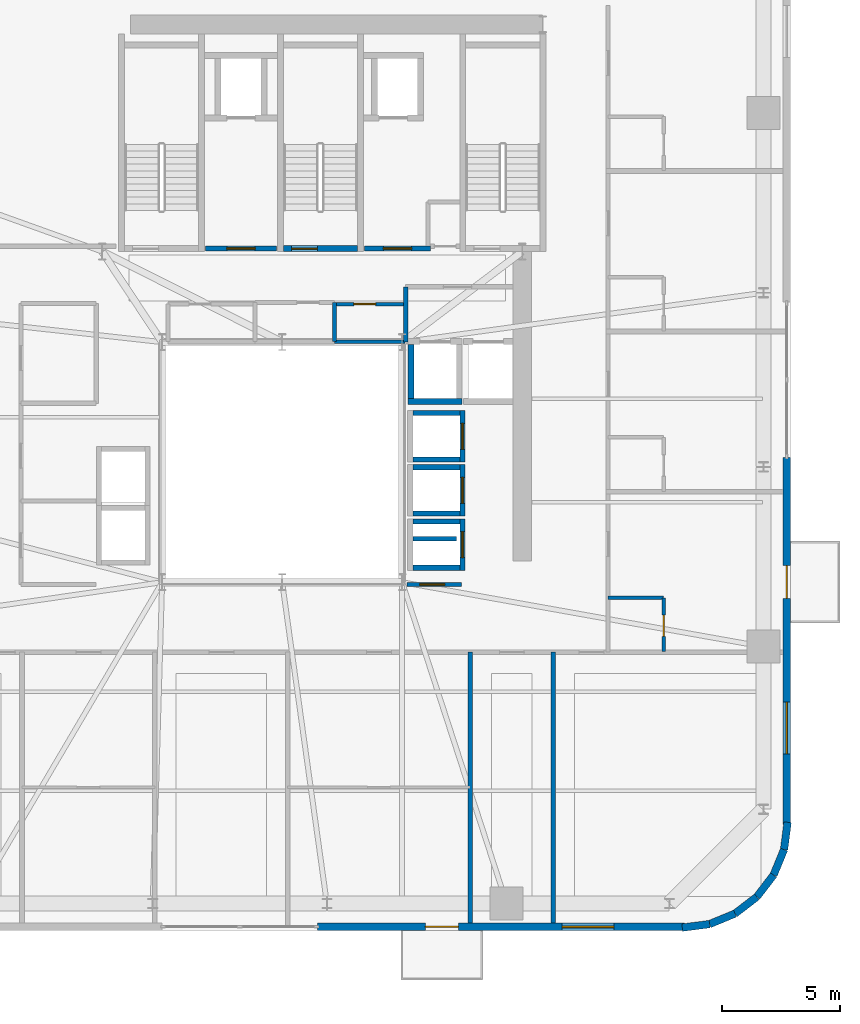
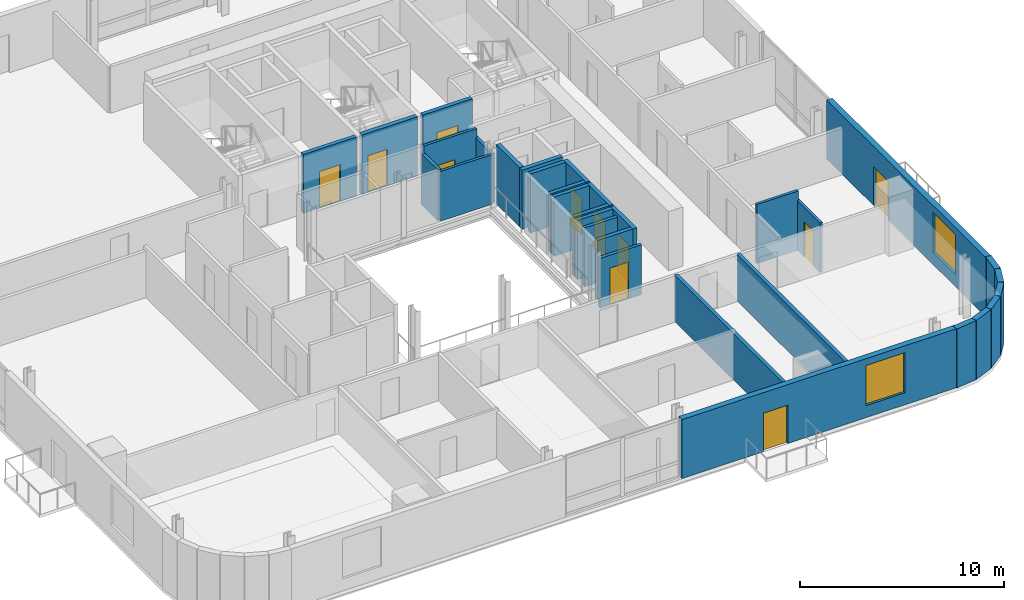
# One storey, part 9 of 15: 32 walls, 11 doors, 2 windows, 13 openings.
"""IFC4 building model written with IfcOpenShell, lengths in metres."""

from ifc_helpers import new_model, si_unit, direction, frame, frame_2d, origin, place, context, subcontext, project, spatial, rectangle, extrude, source, transform, mapped, material, layer, layer_set, type_object, element, fill, save


model = new_model("IFC4")

# Units and contexts
model_context = context("Model", 3, precision=1e-05, world=origin(), true_north=direction((0.0, 1.0)))
body_context = subcontext(model_context, "Body", "Model", "MODEL_VIEW")
ifc_project = project(units=[si_unit("LENGTHUNIT", "METRE"), si_unit("AREAUNIT", "SQUARE_METRE"), si_unit("VOLUMEUNIT", "CUBIC_METRE"), si_unit("PLANEANGLEUNIT", "RADIAN"), si_unit("MASSUNIT", "GRAM", prefix="KILO")], contexts=[model_context])

# Site, building, storey
site_placement = place(None, origin())
site = spatial("IfcSite", under=ifc_project, at=site_placement, CompositionType="ELEMENT")
building_placement = place(site_placement, origin())
building = spatial("IfcBuilding", under=site, at=building_placement, Name="Vardaveli Station Tower", CompositionType="ELEMENT")
storey_placement = place(building_placement, frame((0.0, 0.0, 229.800048828125)))
storey = spatial("IfcBuildingStorey", under=building, at=storey_placement, Name="L59", CompositionType="ELEMENT", Elevation=229.800048828125)

# Wall, openings, door, window
ifc_material_1 = material(Name="Precast concrete C45/55", Category="concrete")
ifc_layer_1 = layer(ifc_material_1, 0.320068359375, Name="Precast concrete C45/55")
ifc_layer_set_1 = layer_set([ifc_layer_1], Name="Precast concrete C45/55")
wall_type_1 = type_object("IfcWallType", Name="WAL-EXT-STONE-320", PredefinedType="SOLIDWALL", material=ifc_layer_set_1)
shared_shape_1 = source(origin(), body_context, "Body", "SweptSolid", [
    extrude(rectangle(XDim=15.599853515625, YDim=0.320068359375, at=frame_2d((7.7998046875, 0.0))), origin(), (0.0, 0.0, 1.0), 3.530029296875),
])
wall_1_placement = place(storey_placement, frame((37.800048828125, 1.9599609375, 0.0), z_axis=(0.0, 0.0, 1.0), x_axis=(1.0, 0.0, 0.0)))
wall_1 = element("IfcWall", 1, at=wall_1_placement, inside=storey, type_object=wall_type_1, Name="EW-L59-S2", PredefinedType="SOLIDWALL", context=body_context, shape_type="MappedRepresentation", body=[
    mapped(shared_shape_1, transform((0.0, 0.0, 0.0), scale=1.0)),
])
shared_shape_2 = source(origin(), body_context, "Body", "SweptSolid", [
    extrude(rectangle(XDim=1.39990234375, YDim=2.300048828125, at=frame_2d((0.699951171875, 1.14990234375))), frame((0.0, 0.169921875, 0.0), z_axis=(0.0, -1.0, 0.0), x_axis=(1.0, 0.0, 0.0)), (0.0, 0.0, 1.0), 0.340087890625),
])
opening_1_placement = place(wall_1_placement, frame((4.589599609375, 0.0, 0.0)))
opening_1 = element("IfcOpeningElement", 2, at=opening_1_placement, cuts=wall_1, Name="Opening D-09", PredefinedType="OPENING", context=body_context, shape_type="MappedRepresentation", body=[
    mapped(shared_shape_2, transform((0.0, 0.0, 0.0), scale=1.0)),
])
shared_shape_3 = source(origin(), body_context, "Body", "SweptSolid", [
    extrude(rectangle(XDim=2.199951171875, YDim=2.39990234375, at=frame_2d((1.10009765625, 1.199951171875))), frame((0.0, 0.169921875, 0.0), z_axis=(0.0, -1.0, 0.0), x_axis=(1.0, 0.0, 0.0)), (0.0, 0.0, 1.0), 0.340087890625),
])
opening_2_placement = place(wall_1_placement, frame((10.39501953125, 0.0, 0.719970703125)))
opening_2 = element("IfcOpeningElement", 3, at=opening_2_placement, cuts=wall_1, Name="Opening W-03", PredefinedType="OPENING", context=body_context, shape_type="MappedRepresentation", body=[
    mapped(shared_shape_3, transform((0.0, 0.0, 0.0), scale=1.0)),
])
ifc_material_2 = material(Name="Thermally broken aluminium glass", Category="aluminium")
door_type_1 = type_object("IfcDoorType", Name="DR-LOG-1400x2300", OperationType="DOUBLE_DOOR_SLIDING", PredefinedType="DOOR", material=ifc_material_2)
shared_shape_4 = source(origin(), body_context, "Body", "SweptSolid", [
    extrude(rectangle(XDim=1.39990234375, YDim=2.300048828125, at=frame_2d((0.699951171875, 1.14990234375))), frame((0.0, 0.02490234375, 0.0), z_axis=(0.0, -1.0, 0.0), x_axis=(1.0, 0.0, 0.0)), (0.0, 0.0, 1.0), 0.050048828125),
])
door_1_placement = place(opening_1_placement, frame((1.39990234375, 0.0, 0.0), z_axis=(0.0, 0.0, 1.0), x_axis=(-1.0, 0.0, 0.0)))
door_1 = element("IfcDoor", 4, at=door_1_placement, inside=storey, type_object=door_type_1, Name="DLG-L59-S", OperationType="DOUBLE_DOOR_SLIDING", OverallHeight=2.300048828125, OverallWidth=1.39990234375, PredefinedType="DOOR", context=body_context, shape_type="MappedRepresentation", body=[
    mapped(shared_shape_4, transform((0.0, 0.0, 0.0), scale=1.0)),
])
fill(opening_1, door_1)
ifc_material_3 = material(Name="Low-E solar-control glass", Category="glass")
window_type = type_object("IfcWindowType", Name="WIN-LOG-2200x2400", PartitioningType="SINGLE_PANEL", PredefinedType="WINDOW", material=ifc_material_3)
shared_shape_5 = source(origin(), body_context, "Body", "SweptSolid", [
    extrude(rectangle(XDim=2.199951171875, YDim=2.39990234375, at=frame_2d((1.10009765625, 1.199951171875))), frame((0.0, 0.030029296875, 0.0), z_axis=(0.0, -1.0, 0.0), x_axis=(1.0, 0.0, 0.0)), (0.0, 0.0, 1.0), 0.06005859375),
])
window_1_placement = place(opening_2_placement, origin())
window_1 = element("IfcWindow", 5, at=window_1_placement, inside=storey, type_object=window_type, Name="WN-L59-S2", OverallHeight=2.39990234375, OverallWidth=2.199951171875, PartitioningType="SINGLE_PANEL", PredefinedType="WINDOW", context=body_context, shape_type="MappedRepresentation", body=[
    mapped(shared_shape_5, transform((0.0, 0.0, 0.0), scale=1.0)),
])
fill(opening_2, window_1)

wall_2_placement = place(storey_placement, frame((57.739990234375, 6.300048828125, 0.0), z_axis=(0.0, 0.0, 1.0), x_axis=(0.0, 1.0, 0.0)))
wall_2 = element("IfcWall", 6, at=wall_2_placement, inside=storey, type_object=wall_type_1, Name="EW-L59-E1", PredefinedType="SOLIDWALL", context=body_context, shape_type="MappedRepresentation", body=[
    mapped(shared_shape_1, transform((0.0, 0.0, 0.0), scale=1.0)),
])
opening_3_placement = place(wall_2_placement, frame((9.6103515625, 0.0, 0.0)))
opening_3 = element("IfcOpeningElement", 7, at=opening_3_placement, cuts=wall_2, Name="Opening D-09", PredefinedType="OPENING", context=body_context, shape_type="MappedRepresentation", body=[
    mapped(shared_shape_2, transform((0.0, 0.0, 0.0), scale=1.0)),
])
opening_4_placement = place(wall_2_placement, frame((3.0048828125, 0.0, 0.719970703125)))
opening_4 = element("IfcOpeningElement", 8, at=opening_4_placement, cuts=wall_2, Name="Opening W-03", PredefinedType="OPENING", context=body_context, shape_type="MappedRepresentation", body=[
    mapped(shared_shape_3, transform((0.0, 0.0, 0.0), scale=1.0)),
])
door_2_placement = place(opening_3_placement, frame((1.39990234375, 0.0, 0.0), z_axis=(0.0, 0.0, 1.0), x_axis=(-1.0, 0.0, 0.0)))
door_2 = element("IfcDoor", 9, at=door_2_placement, inside=storey, type_object=door_type_1, Name="DLG-L59-E", OperationType="DOUBLE_DOOR_SLIDING", OverallHeight=2.300048828125, OverallWidth=1.39990234375, PredefinedType="DOOR", context=body_context, shape_type="MappedRepresentation", body=[
    mapped(shared_shape_4, transform((0.0, 0.0, 0.0), scale=1.0)),
])
fill(opening_3, door_2)
window_2_placement = place(opening_4_placement, origin())
window_2 = element("IfcWindow", 10, at=window_2_placement, inside=storey, type_object=window_type, Name="WN-L59-E1", OverallHeight=2.39990234375, OverallWidth=2.199951171875, PartitioningType="SINGLE_PANEL", PredefinedType="WINDOW", context=body_context, shape_type="MappedRepresentation", body=[
    mapped(shared_shape_5, transform((0.0, 0.0, 0.0), scale=1.0)),
])
fill(opening_4, window_2)

# Walls
shared_shape_6 = source(origin(), body_context, "Body", "SweptSolid", [
    extrude(rectangle(XDim=1.170654296875, YDim=0.320068359375, at=frame_2d((0.58544921875, 0.0))), origin(), (0.0, 0.0, 1.0), 3.530029296875),
])
wall_3_placement = place(storey_placement, frame((57.62548828125, 5.23974609375, 0.0), z_axis=(0.0, 0.0, 1.0), x_axis=(0.128269133229, 0.991739395941, 0.0)))
element("IfcWall", 11, at=wall_3_placement, inside=storey, type_object=wall_type_1, Name="EW-L59-CR2-6", PredefinedType="SOLIDWALL", context=body_context, shape_type="MappedRepresentation", body=[
    mapped(shared_shape_6, transform((0.0, 0.0, 0.0), scale=1.0)),
])
shared_shape_7 = source(origin(), body_context, "Body", "SweptSolid", [
    extrude(rectangle(XDim=1.1689453125, YDim=0.320068359375, at=frame_2d((0.58447265625, 0.0))), origin(), (0.0, 0.0, 1.0), 3.530029296875),
])
for number, where, z_axis, x_axis, name in (
    (12, (56.46875, 3.231201171875, 0.0), (0.0, 0.0, 1.0), (0.608387696831, 0.793639975269, 0.0), "EW-L59-CR2-4"),
    (13, (57.179931640625, 4.158935546875, 0.0), (0.0, 0.0, 1.0), (0.381127904695, 0.924522320046, 0.0), "EW-L59-CR2-5"),
):
    element("IfcWall", number, at=place(storey_placement, frame(where, z_axis=z_axis, x_axis=x_axis)), inside=storey, type_object=wall_type_1, Name=name, PredefinedType="SOLIDWALL", context=body_context, shape_type="MappedRepresentation", body=[
        mapped(shared_shape_7, transform((0.0, 0.0, 0.0), scale=1.0)),
    ])
shared_shape_8 = source(origin(), body_context, "Body", "SweptSolid", [
    extrude(rectangle(XDim=1.168701171875, YDim=0.320068359375, at=frame_2d((0.58447265625, 0.0))), origin(), (0.0, 0.0, 1.0), 3.530029296875),
])
wall_4_placement = place(storey_placement, frame((55.541259765625, 2.520263671875, 0.0), z_axis=(0.0, 0.0, 1.0), x_axis=(0.793663520347, 0.608356981114, 0.0)))
element("IfcWall", 14, at=wall_4_placement, inside=storey, type_object=wall_type_1, Name="EW-L59-CR2-3", PredefinedType="SOLIDWALL", context=body_context, shape_type="MappedRepresentation", body=[
    mapped(shared_shape_8, transform((0.0, 0.0, 0.0), scale=1.0)),
])
shared_shape_9 = source(origin(), body_context, "Body", "SweptSolid", [
    extrude(rectangle(XDim=1.16943359375, YDim=0.320068359375, at=frame_2d((0.584716796875, 0.0))), origin(), (0.0, 0.0, 1.0), 3.530029296875),
])
wall_5_placement = place(storey_placement, frame((54.460205078125, 2.074462890625, 0.0), z_axis=(0.0, 0.0, 1.0), x_axis=(0.924479075121, 0.381232789334, 0.0)))
element("IfcWall", 15, at=wall_5_placement, inside=storey, type_object=wall_type_1, Name="EW-L59-CR2-2", PredefinedType="SOLIDWALL", context=body_context, shape_type="MappedRepresentation", body=[
    mapped(shared_shape_9, transform((0.0, 0.0, 0.0), scale=1.0)),
])
shared_shape_10 = source(origin(), body_context, "Body", "SweptSolid", [
    extrude(rectangle(XDim=1.170166015625, YDim=0.320068359375, at=frame_2d((0.5849609375, 0.0))), origin(), (0.0, 0.0, 1.0), 3.530029296875),
])
wall_6_placement = place(storey_placement, frame((53.299560546875, 1.924560546875, 0.0), z_axis=(0.0, 0.0, 1.0), x_axis=(0.991762485493, 0.128090485085, 0.0)))
element("IfcWall", 16, at=wall_6_placement, inside=storey, type_object=wall_type_1, Name="EW-L59-CR2-1", PredefinedType="SOLIDWALL", context=body_context, shape_type="MappedRepresentation", body=[
    mapped(shared_shape_10, transform((0.0, 0.0, 0.0), scale=1.0)),
])

# Wall, opening, door
ifc_material_4 = material(Name="Concrete C40/50", Category="concrete")
ifc_layer_2 = layer(ifc_material_4, 0.25, Name="Concrete C40/50")
ifc_layer_set_2 = layer_set([ifc_layer_2], Name="Concrete C40/50")
wall_type_2 = type_object("IfcWallType", Name="WAL-SHAFT-250", PredefinedType="SOLIDWALL", material=ifc_layer_set_2)
shared_shape_11 = source(origin(), body_context, "Body", "SweptSolid", [
    extrude(rectangle(XDim=3.14990234375, YDim=0.25, at=frame_2d((1.574951171875, 0.0))), origin(), (0.0, 0.0, 1.0), 3.550048828125),
])
wall_7_placement = place(storey_placement, frame((36.35009765625, 30.77490234375, 0.0), z_axis=(0.0, 0.0, 1.0), x_axis=(1.0, 0.0, 0.0)))
wall_7 = element("IfcWall", 17, at=wall_7_placement, inside=storey, type_object=wall_type_2, Name="W-L59-ST-2S", PredefinedType="SOLIDWALL", context=body_context, shape_type="MappedRepresentation", body=[
    mapped(shared_shape_11, transform((0.0, 0.0, 0.0), scale=1.0)),
])
shared_shape_12 = source(origin(), body_context, "Body", "SweptSolid", [
    extrude(rectangle(XDim=1.10009765625, YDim=2.199951171875, at=frame_2d((0.550048828125, 1.10009765625))), frame((0.0, 0.135009765625, 0.0), z_axis=(0.0, -1.0, 0.0), x_axis=(1.0, 0.0, 0.0)), (0.0, 0.0, 1.0), 0.27001953125),
])
opening_5_placement = place(wall_7_placement, frame((0.35009765625, 0.0, 0.0)))
opening_5 = element("IfcOpeningElement", 18, at=opening_5_placement, cuts=wall_7, Name="Opening D-04", PredefinedType="OPENING", context=body_context, shape_type="MappedRepresentation", body=[
    mapped(shared_shape_12, transform((0.0, 0.0, 0.0), scale=1.0)),
])
ifc_material_5 = material(Name="Steel smokeproof fire doorset", Category="steel")
door_type_2 = type_object("IfcDoorType", Name="DR-ST-1100x2200", OperationType="NOTDEFINED", PredefinedType="DOOR", material=ifc_material_5)
shared_shape_13 = source(origin(), body_context, "Body", "SweptSolid", [
    extrude(rectangle(XDim=1.10009765625, YDim=2.199951171875, at=frame_2d((0.550048828125, 1.10009765625))), frame((0.0, 0.02490234375, 0.0), z_axis=(0.0, -1.0, 0.0), x_axis=(1.0, 0.0, 0.0)), (0.0, 0.0, 1.0), 0.050048828125),
])
door_3_placement = place(opening_5_placement, origin())
door_3 = element("IfcDoor", 19, at=door_3_placement, inside=storey, type_object=door_type_2, Name="DST-2-L59", OperationType="SINGLE_SWING_LEFT", OverallHeight=2.199951171875, OverallWidth=1.10009765625, PredefinedType="DOOR", context=body_context, shape_type="MappedRepresentation", body=[
    mapped(shared_shape_13, transform((0.0, 0.0, 0.0), scale=1.0)),
])
fill(opening_5, door_3)

ifc_layer_3 = layer(ifc_material_4, 0.219970703125, Name="Concrete C40/50")
ifc_layer_set_3 = layer_set([ifc_layer_3], Name="Concrete C40/50")
wall_type_3 = type_object("IfcWallType", Name="WAL-FFLOBBY-220", PredefinedType="SOLIDWALL", material=ifc_layer_set_3)
shared_shape_14 = source(origin(), body_context, "Body", "SweptSolid", [
    extrude(rectangle(XDim=3.0, YDim=0.219970703125, at=frame_2d((1.5, 0.0))), origin(), (0.0, 0.0, 1.0), 3.530029296875),
])
wall_8_placement = place(storey_placement, frame((33.050048828125, 30.780029296875, 0.0), z_axis=(0.0, 0.0, 1.0), x_axis=(1.0, 0.0, 0.0)))
wall_8 = element("IfcWall", 20, at=wall_8_placement, inside=storey, type_object=wall_type_3, Name="W-L59-FFL1S", PredefinedType="SOLIDWALL", context=body_context, shape_type="MappedRepresentation", body=[
    mapped(shared_shape_14, transform((0.0, 0.0, 0.0), scale=1.0)),
])
shared_shape_15 = source(origin(), body_context, "Body", "SweptSolid", [
    extrude(rectangle(XDim=1.199951171875, YDim=2.199951171875, at=frame_2d((0.60009765625, 1.10009765625))), frame((0.0, 0.1201171875, 0.0), z_axis=(0.0, -1.0, 0.0), x_axis=(1.0, 0.0, 0.0)), (0.0, 0.0, 1.0), 0.239990234375),
])
opening_6_placement = place(wall_8_placement, frame((0.89990234375, 0.0, 0.0)))
opening_6 = element("IfcOpeningElement", 21, at=opening_6_placement, cuts=wall_8, Name="Opening D-03", PredefinedType="OPENING", context=body_context, shape_type="MappedRepresentation", body=[
    mapped(shared_shape_15, transform((0.0, 0.0, 0.0), scale=1.0)),
])
door_type_3 = type_object("IfcDoorType", Name="DR-FFL-1200x2200", OperationType="NOTDEFINED", PredefinedType="DOOR", material=ifc_material_5)
shared_shape_16 = source(origin(), body_context, "Body", "SweptSolid", [
    extrude(rectangle(XDim=1.199951171875, YDim=2.199951171875, at=frame_2d((0.60009765625, 1.10009765625))), frame((0.0, 0.02490234375, 0.0), z_axis=(0.0, -1.0, 0.0), x_axis=(1.0, 0.0, 0.0)), (0.0, 0.0, 1.0), 0.050048828125),
])
door_4_placement = place(opening_6_placement, origin())
door_4 = element("IfcDoor", 22, at=door_4_placement, inside=storey, type_object=door_type_3, Name="DFFL1-L59", OperationType="SINGLE_SWING_LEFT", OverallHeight=2.199951171875, OverallWidth=1.199951171875, PredefinedType="DOOR", context=body_context, shape_type="MappedRepresentation", body=[
    mapped(shared_shape_16, transform((0.0, 0.0, 0.0), scale=1.0)),
])
fill(opening_6, door_4)

shared_shape_17 = source(origin(), body_context, "Body", "SweptSolid", [
    extrude(rectangle(XDim=2.800048828125, YDim=0.219970703125, at=frame_2d((1.39990234375, 0.0))), origin(), (0.0, 0.0, 1.0), 3.530029296875),
])
wall_9_placement = place(storey_placement, frame((39.800048828125, 30.780029296875, 0.0), z_axis=(0.0, 0.0, 1.0), x_axis=(1.0, 0.0, 0.0)))
wall_9 = element("IfcWall", 23, at=wall_9_placement, inside=storey, type_object=wall_type_3, Name="W-L59-FFL2S", PredefinedType="SOLIDWALL", context=body_context, shape_type="MappedRepresentation", body=[
    mapped(shared_shape_17, transform((0.0, 0.0, 0.0), scale=1.0)),
])
opening_7_placement = place(wall_9_placement, frame((0.800048828125, 0.0, 0.0)))
opening_7 = element("IfcOpeningElement", 24, at=opening_7_placement, cuts=wall_9, Name="Opening D-03", PredefinedType="OPENING", context=body_context, shape_type="MappedRepresentation", body=[
    mapped(shared_shape_15, transform((0.0, 0.0, 0.0), scale=1.0)),
])
door_5_placement = place(opening_7_placement, origin())
door_5 = element("IfcDoor", 25, at=door_5_placement, inside=storey, type_object=door_type_3, Name="DFFL2-L59", OperationType="SINGLE_SWING_RIGHT", OverallHeight=2.199951171875, OverallWidth=1.199951171875, PredefinedType="DOOR", context=body_context, shape_type="MappedRepresentation", body=[
    mapped(shared_shape_16, transform((0.0, 0.0, 0.0), scale=1.0)),
])
fill(opening_7, door_5)

# Walls
shared_shape_18 = source(origin(), body_context, "Body", "SweptSolid", [
    extrude(rectangle(XDim=2.0, YDim=0.219970703125, at=frame_2d((1.0, 0.0))), origin(), (0.0, 0.0, 1.0), 3.530029296875),
])
for number, where, z_axis, x_axis, name in (
    (26, (41.85009765625, 21.81494140625, 0.0), (0.0, 0.0, 1.0), (1.0, 0.0, 0.0), "SHW-HL3-01-L59-S"),
    (27, (41.85009765625, 23.784912109375, 0.0), (0.0, 0.0, 1.0), (1.0, 0.0, 0.0), "SHW-HL3-01-L59-N"),
    (28, (41.85009765625, 19.514892578125, 0.0), (0.0, 0.0, 1.0), (1.0, 0.0, 0.0), "SHW-HL3-02-L59-S"),
    (29, (41.85009765625, 21.485107421875, 0.0), (0.0, 0.0, 1.0), (1.0, 0.0, 0.0), "SHW-HL3-02-L59-N"),
    (30, (41.85009765625, 17.215087890625, 0.0), (0.0, 0.0, 1.0), (1.0, 0.0, 0.0), "SHW-HL3-03-L59-S"),
    (31, (41.85009765625, 19.18505859375, 0.0), (0.0, 0.0, 1.0), (1.0, 0.0, 0.0), "SHW-HL3-03-L59-N"),
):
    element("IfcWall", number, at=place(storey_placement, frame(where, z_axis=z_axis, x_axis=x_axis)), inside=storey, type_object=wall_type_3, Name=name, PredefinedType="SOLIDWALL", context=body_context, shape_type="MappedRepresentation", body=[
        mapped(shared_shape_18, transform((0.0, 0.0, 0.0), scale=1.0)),
    ])

# Wall, opening, door
shared_shape_19 = source(origin(), body_context, "Body", "SweptSolid", [
    extrude(rectangle(XDim=2.18994140625, YDim=0.219970703125, at=frame_2d((1.094970703125, 0.0))), origin(), (0.0, 0.0, 1.0), 3.530029296875),
])
wall_10_placement = place(storey_placement, frame((43.9599609375, 21.705078125, 0.0), z_axis=(0.0, 0.0, 1.0), x_axis=(0.0, 1.0, 0.0)))
wall_10 = element("IfcWall", 32, at=wall_10_placement, inside=storey, type_object=wall_type_3, Name="SHW-HL3-01-L59-E", PredefinedType="SOLIDWALL", context=body_context, shape_type="MappedRepresentation", body=[
    mapped(shared_shape_19, transform((0.0, 0.0, 0.0), scale=1.0)),
])
shared_shape_20 = source(origin(), body_context, "Body", "SweptSolid", [
    extrude(rectangle(XDim=1.10009765625, YDim=2.199951171875, at=frame_2d((0.550048828125, 1.10009765625))), frame((0.0, 0.1201171875, 0.0), z_axis=(0.0, -1.0, 0.0), x_axis=(1.0, 0.0, 0.0)), (0.0, 0.0, 1.0), 0.239990234375),
])
opening_8_placement = place(wall_10_placement, frame((0.544921875, 0.0, 0.0)))
opening_8 = element("IfcOpeningElement", 33, at=opening_8_placement, cuts=wall_10, Name="Opening LD-01", PredefinedType="OPENING", context=body_context, shape_type="MappedRepresentation", body=[
    mapped(shared_shape_20, transform((0.0, 0.0, 0.0), scale=1.0)),
])
ifc_material_6 = material(Name="Brushed stainless steel", Category="steel")
door_type_4 = type_object("IfcDoorType", Name="DR-LD-1100x2200", OperationType="DOUBLE_DOOR_SLIDING", PredefinedType="DOOR", material=ifc_material_6)
door_6_placement = place(opening_8_placement, origin())
door_6 = element("IfcDoor", 34, at=door_6_placement, inside=storey, type_object=door_type_4, Name="LD-HL3-01-L59", OperationType="DOUBLE_DOOR_SLIDING", OverallHeight=2.199951171875, OverallWidth=1.10009765625, PredefinedType="DOOR", context=body_context, shape_type="MappedRepresentation", body=[
    mapped(shared_shape_13, transform((0.0, 0.0, 0.0), scale=1.0)),
])
fill(opening_8, door_6)

wall_11_placement = place(storey_placement, frame((43.9599609375, 19.405029296875, 0.0), z_axis=(0.0, 0.0, 1.0), x_axis=(0.0, 1.0, 0.0)))
wall_11 = element("IfcWall", 35, at=wall_11_placement, inside=storey, type_object=wall_type_3, Name="SHW-HL3-02-L59-E", PredefinedType="SOLIDWALL", context=body_context, shape_type="MappedRepresentation", body=[
    mapped(shared_shape_19, transform((0.0, 0.0, 0.0), scale=1.0)),
])
opening_9_placement = place(wall_11_placement, frame((0.544921875, 0.0, 0.0)))
opening_9 = element("IfcOpeningElement", 36, at=opening_9_placement, cuts=wall_11, Name="Opening LD-01", PredefinedType="OPENING", context=body_context, shape_type="MappedRepresentation", body=[
    mapped(shared_shape_20, transform((0.0, 0.0, 0.0), scale=1.0)),
])
door_7_placement = place(opening_9_placement, origin())
door_7 = element("IfcDoor", 37, at=door_7_placement, inside=storey, type_object=door_type_4, Name="LD-HL3-02-L59", OperationType="DOUBLE_DOOR_SLIDING", OverallHeight=2.199951171875, OverallWidth=1.10009765625, PredefinedType="DOOR", context=body_context, shape_type="MappedRepresentation", body=[
    mapped(shared_shape_13, transform((0.0, 0.0, 0.0), scale=1.0)),
])
fill(opening_9, door_7)

wall_12_placement = place(storey_placement, frame((43.9599609375, 17.10498046875, 0.0), z_axis=(0.0, 0.0, 1.0), x_axis=(0.0, 1.0, 0.0)))
wall_12 = element("IfcWall", 38, at=wall_12_placement, inside=storey, type_object=wall_type_3, Name="SHW-HL3-03-L59-E", PredefinedType="SOLIDWALL", context=body_context, shape_type="MappedRepresentation", body=[
    mapped(shared_shape_19, transform((0.0, 0.0, 0.0), scale=1.0)),
])
opening_10_placement = place(wall_12_placement, frame((0.544921875, 0.0, 0.0)))
opening_10 = element("IfcOpeningElement", 39, at=opening_10_placement, cuts=wall_12, Name="Opening LD-01", PredefinedType="OPENING", context=body_context, shape_type="MappedRepresentation", body=[
    mapped(shared_shape_20, transform((0.0, 0.0, 0.0), scale=1.0)),
])
door_8_placement = place(opening_10_placement, origin())
door_8 = element("IfcDoor", 40, at=door_8_placement, inside=storey, type_object=door_type_4, Name="LD-HL3-03-L59", OperationType="DOUBLE_DOOR_SLIDING", OverallHeight=2.199951171875, OverallWidth=1.10009765625, PredefinedType="DOOR", context=body_context, shape_type="MappedRepresentation", body=[
    mapped(shared_shape_13, transform((0.0, 0.0, 0.0), scale=1.0)),
])
fill(opening_10, door_8)

# Walls
shared_shape_21 = source(origin(), body_context, "Body", "SweptSolid", [
    extrude(rectangle(XDim=2.300048828125, YDim=0.25, at=frame_2d((1.14990234375, 0.0))), origin(), (0.0, 0.0, 1.0), 3.530029296875),
])
for number, where, z_axis, x_axis, name in (
    (41, (41.64990234375, 24.27490234375, 0.0), (0.0, 0.0, 1.0), (1.0, 0.0, 0.0), "SHW-SRV-01-L59-S"),
    (42, (41.77490234375, 24.39990234375, 0.0), (0.0, 0.0, 1.0), (0.0, 1.0, 0.0), "SHW-SRV-01-L59-W"),
):
    element("IfcWall", number, at=place(storey_placement, frame(where, z_axis=z_axis, x_axis=x_axis)), inside=storey, type_object=wall_type_2, Name=name, PredefinedType="SOLIDWALL", context=body_context, shape_type="MappedRepresentation", body=[
        mapped(shared_shape_21, transform((0.0, 0.0, 0.0), scale=1.0)),
    ])

# Wall, opening, door
ifc_material_7 = material(Name="Moisture-resistant stud partition")
ifc_layer_4 = layer(ifc_material_7, 0.14990234375, Name="Moisture-resistant stud partition")
ifc_layer_set_4 = layer_set([ifc_layer_4], Name="Moisture-resistant stud partition")
wall_type_4 = type_object("IfcWallType", Name="WAL-WET-150", PredefinedType="PARTITIONING", material=ifc_layer_set_4)
shared_shape_22 = source(origin(), body_context, "Body", "SweptSolid", [
    extrude(rectangle(XDim=3.0, YDim=0.14990234375, at=frame_2d((1.5, 0.0))), origin(), (0.0, 0.0, 1.0), 3.530029296875),
])
wall_13_placement = place(storey_placement, frame((38.52001953125, 28.419921875, 0.0), z_axis=(0.0, 0.0, 1.0), x_axis=(1.0, 0.0, 0.0)))
wall_13 = element("IfcWall", 43, at=wall_13_placement, inside=storey, type_object=wall_type_4, Name="W-L59-WCA2-N", PredefinedType="PARTITIONING", context=body_context, shape_type="MappedRepresentation", body=[
    mapped(shared_shape_22, transform((0.0, 0.0, 0.0), scale=1.0)),
])
shared_shape_23 = source(origin(), body_context, "Body", "SweptSolid", [
    extrude(rectangle(XDim=0.919921875, YDim=2.10009765625, at=frame_2d((0.4599609375, 1.050048828125))), frame((0.0, 0.0849609375, 0.0), z_axis=(0.0, -1.0, 0.0), x_axis=(1.0, 0.0, 0.0)), (0.0, 0.0, 1.0), 0.169921875),
])
opening_11_placement = place(wall_13_placement, frame((0.830078125, 0.0, 0.0)))
opening_11 = element("IfcOpeningElement", 44, at=opening_11_placement, cuts=wall_13, Name="Opening D-07", PredefinedType="OPENING", context=body_context, shape_type="MappedRepresentation", body=[
    mapped(shared_shape_23, transform((0.0, 0.0, 0.0), scale=1.0)),
])
ifc_material_8 = material(Name="Moisture-resistant hardwood door", Category="wood")
door_type_5 = type_object("IfcDoorType", Name="DR-WC-920x2100", OperationType="NOTDEFINED", PredefinedType="DOOR", material=ifc_material_8)
shared_shape_24 = source(origin(), body_context, "Body", "SweptSolid", [
    extrude(rectangle(XDim=0.919921875, YDim=2.10009765625, at=frame_2d((0.4599609375, 1.050048828125))), frame((0.0, 0.02490234375, 0.0), z_axis=(0.0, -1.0, 0.0), x_axis=(1.0, 0.0, 0.0)), (0.0, 0.0, 1.0), 0.050048828125),
])
door_9_placement = place(opening_11_placement, origin())
door_9 = element("IfcDoor", 45, at=door_9_placement, inside=storey, type_object=door_type_5, Name="D-L59-WCA", OperationType="SINGLE_SWING_LEFT", OverallHeight=2.10009765625, OverallWidth=0.919921875, PredefinedType="DOOR", context=body_context, shape_type="MappedRepresentation", body=[
    mapped(shared_shape_24, transform((0.0, 0.0, 0.0), scale=1.0)),
])
fill(opening_11, door_9)

ifc_material_9 = material(Name="Fire-rated gypsum stud partition")
ifc_layer_5 = layer(ifc_material_9, 0.179931640625, Name="Fire-rated gypsum stud partition")
ifc_layer_set_5 = layer_set([ifc_layer_5], Name="Fire-rated gypsum stud partition")
wall_type_5 = type_object("IfcWallType", Name="WAL-CORR-180", PredefinedType="PARTITIONING", material=ifc_layer_set_5)
shared_shape_25 = source(origin(), body_context, "Body", "SweptSolid", [
    extrude(rectangle(XDim=2.329833984375, YDim=0.179931640625, at=frame_2d((1.1650390625, 0.0))), origin(), (0.0, 0.0, 1.0), 2.971923828125),
])
wall_14_placement = place(storey_placement, frame((41.60009765625, 16.5, 0.0), z_axis=(0.0, 0.0, 1.0), x_axis=(1.0, 0.0, 0.0)))
wall_14 = element("IfcWall", 46, at=wall_14_placement, inside=storey, type_object=wall_type_5, Name="W-L59-ATE-S", PredefinedType="PARTITIONING", context=body_context, shape_type="MappedRepresentation", body=[
    mapped(shared_shape_25, transform((0.0, 0.0, 0.0), scale=1.0)),
])
shared_shape_26 = source(origin(), body_context, "Body", "SweptSolid", [
    extrude(rectangle(XDim=1.050048828125, YDim=2.199951171875, at=frame_2d((0.52490234375, 1.10009765625))), frame((0.0, 0.10009765625, 0.0), z_axis=(0.0, -1.0, 0.0), x_axis=(1.0, 0.0, 0.0)), (0.0, 0.0, 1.0), 0.199951171875),
])
opening_12_placement = place(wall_14_placement, frame((0.550048828125, 0.0, 0.0)))
opening_12 = element("IfcOpeningElement", 47, at=opening_12_placement, cuts=wall_14, Name="Opening D-05", PredefinedType="OPENING", context=body_context, shape_type="MappedRepresentation", body=[
    mapped(shared_shape_26, transform((0.0, 0.0, 0.0), scale=1.0)),
])
ifc_material_10 = material(Name="Walnut veneer acoustic fire door")
door_type_6 = type_object("IfcDoorType", Name="DR-SUITE-1050x2200", OperationType="NOTDEFINED", PredefinedType="DOOR", material=ifc_material_10)
shared_shape_27 = source(origin(), body_context, "Body", "SweptSolid", [
    extrude(rectangle(XDim=1.050048828125, YDim=2.199951171875, at=frame_2d((0.52490234375, 1.10009765625))), frame((0.0, 0.02490234375, 0.0), z_axis=(0.0, -1.0, 0.0), x_axis=(1.0, 0.0, 0.0)), (0.0, 0.0, 1.0), 0.050048828125),
])
door_10_placement = place(opening_12_placement, origin())
door_10 = element("IfcDoor", 48, at=door_10_placement, inside=storey, type_object=door_type_6, Name="D-L59-ATE1", OperationType="SINGLE_SWING_RIGHT", OverallHeight=2.199951171875, OverallWidth=1.050048828125, PredefinedType="DOOR", context=body_context, shape_type="MappedRepresentation", body=[
    mapped(shared_shape_27, transform((0.0, 0.0, 0.0), scale=1.0)),
])
fill(opening_12, door_10)

shared_shape_28 = source(origin(), body_context, "Body", "SweptSolid", [
    extrude(rectangle(XDim=2.2900390625, YDim=0.14990234375, at=frame_2d((1.14501953125, 0.0))), origin(), (0.0, 0.0, 1.0), 2.971923828125),
])
wall_15_placement = place(storey_placement, frame((52.510009765625, 13.64990234375, 0.0), z_axis=(0.0, 0.0, 1.0), x_axis=(0.0, 1.0, 0.0)))
wall_15 = element("IfcWall", 49, at=wall_15_placement, inside=storey, type_object=wall_type_4, Name="W-L59-BE1-E", PredefinedType="PARTITIONING", context=body_context, shape_type="MappedRepresentation", body=[
    mapped(shared_shape_28, transform((0.0, 0.0, 0.0), scale=1.0)),
])
shared_shape_29 = source(origin(), body_context, "Body", "SweptSolid", [
    extrude(rectangle(XDim=0.89990234375, YDim=2.10009765625, at=frame_2d((0.449951171875, 1.050048828125))), frame((0.0, 0.0849609375, 0.0), z_axis=(0.0, -1.0, 0.0), x_axis=(1.0, 0.0, 0.0)), (0.0, 0.0, 1.0), 0.169921875),
])
opening_13_placement = place(wall_15_placement, frame((0.64990234375, 0.0, 0.0)))
opening_13 = element("IfcOpeningElement", 50, at=opening_13_placement, cuts=wall_15, Name="Opening D-08", PredefinedType="OPENING", context=body_context, shape_type="MappedRepresentation", body=[
    mapped(shared_shape_29, transform((0.0, 0.0, 0.0), scale=1.0)),
])
ifc_material_11 = material(Name="Moisture-resistant oak door")
door_type_7 = type_object("IfcDoorType", Name="DR-BATH-900x2100", OperationType="NOTDEFINED", PredefinedType="DOOR", material=ifc_material_11)
shared_shape_30 = source(origin(), body_context, "Body", "SweptSolid", [
    extrude(rectangle(XDim=0.89990234375, YDim=2.10009765625, at=frame_2d((0.449951171875, 1.050048828125))), frame((0.0, 0.02490234375, 0.0), z_axis=(0.0, -1.0, 0.0), x_axis=(1.0, 0.0, 0.0)), (0.0, 0.0, 1.0), 0.050048828125),
])
door_11_placement = place(opening_13_placement, origin())
door_11 = element("IfcDoor", 51, at=door_11_placement, inside=storey, type_object=door_type_7, Name="D-L59-BE1", OperationType="SINGLE_SWING_LEFT", OverallHeight=2.10009765625, OverallWidth=0.89990234375, PredefinedType="DOOR", context=body_context, shape_type="MappedRepresentation", body=[
    mapped(shared_shape_30, transform((0.0, 0.0, 0.0), scale=1.0)),
])
fill(opening_13, door_11)

# Walls
shared_shape_31 = source(origin(), body_context, "Body", "SweptSolid", [
    extrude(rectangle(XDim=3.0, YDim=0.14990234375, at=frame_2d((1.5, 0.0))), origin(), (0.0, 0.0, 1.0), 2.971923828125),
])
wall_16_placement = place(storey_placement, frame((38.52001953125, 26.820068359375, 0.0), z_axis=(0.0, 0.0, 1.0), x_axis=(1.0, 0.0, 0.0)))
element("IfcWall", 52, at=wall_16_placement, inside=storey, type_object=wall_type_4, Name="W-L59-WCA2-S", PredefinedType="PARTITIONING", context=body_context, shape_type="MappedRepresentation", body=[
    mapped(shared_shape_31, transform((0.0, 0.0, 0.0), scale=1.0)),
])
shared_shape_32 = source(origin(), body_context, "Body", "SweptSolid", [
    extrude(rectangle(XDim=2.360107421875, YDim=0.14990234375, at=frame_2d((1.18017578125, 0.0))), origin(), (0.0, 0.0, 1.0), 3.530029296875),
])
wall_17_placement = place(storey_placement, frame((50.14990234375, 15.93994140625, 0.0), z_axis=(0.0, 0.0, 1.0), x_axis=(1.0, 0.0, 0.0)))
element("IfcWall", 53, at=wall_17_placement, inside=storey, type_object=wall_type_4, Name="W-L59-BE1-N", PredefinedType="PARTITIONING", context=body_context, shape_type="MappedRepresentation", body=[
    mapped(shared_shape_32, transform((0.0, 0.0, 0.0), scale=1.0)),
])
shared_shape_33 = source(origin(), body_context, "Body", "SweptSolid", [
    extrude(rectangle(XDim=2.349853515625, YDim=0.179931640625, at=frame_2d((1.1748046875, 0.0))), origin(), (0.0, 0.0, 1.0), 2.971923828125),
])
wall_18_placement = place(storey_placement, frame((41.550048828125, 26.800048828125, 0.0), z_axis=(0.0, 0.0, 1.0), x_axis=(0.0, 1.0, 0.0)))
element("IfcWall", 54, at=wall_18_placement, inside=storey, type_object=wall_type_5, Name="W-L59-SVFW", PredefinedType="PARTITIONING", context=body_context, shape_type="MappedRepresentation", body=[
    mapped(shared_shape_33, transform((0.0, 0.0, 0.0), scale=1.0)),
])
shared_shape_34 = source(origin(), body_context, "Body", "SweptSolid", [
    extrude(rectangle(XDim=1.85791015625, YDim=0.179931640625, at=frame_2d((0.928955078125, 0.0))), origin(), (0.0, 0.0, 1.0), 3.530029296875),
])
wall_19_placement = place(storey_placement, frame((41.85205078125, 18.449951171875, 0.0), z_axis=(0.0, 0.0, 1.0), x_axis=(1.0, 0.0, 0.0)))
element("IfcWall", 55, at=wall_19_placement, inside=storey, type_object=wall_type_5, Name="W-L59-ATE-N", PredefinedType="PARTITIONING", context=body_context, shape_type="MappedRepresentation", body=[
    mapped(shared_shape_34, transform((0.0, 0.0, 0.0), scale=1.0)),
])
shared_shape_35 = source(origin(), body_context, "Body", "SweptSolid", [
    extrude(rectangle(XDim=1.659912109375, YDim=0.179931640625, at=frame_2d((0.830078125, 0.0))), origin(), (0.0, 0.0, 1.0), 3.072021484375),
])
wall_20_placement = place(storey_placement, frame((38.52001953125, 26.820068359375, 0.0), z_axis=(0.0, 0.0, 1.0), x_axis=(0.0, 1.0, 0.0)))
element("IfcWall", 56, at=wall_20_placement, inside=storey, type_object=wall_type_5, Name="W-L59-HKP2-E", PredefinedType="PARTITIONING", context=body_context, shape_type="MappedRepresentation", body=[
    mapped(shared_shape_35, transform((0.0, 0.0, 0.0), scale=1.0)),
])
ifc_material_12 = material(Name="Acoustic twin-stud gypsum partition")
ifc_layer_6 = layer(ifc_material_12, 0.199951171875, Name="Acoustic twin-stud gypsum partition")
ifc_layer_set_6 = layer_set([ifc_layer_6], Name="Acoustic twin-stud gypsum partition")
wall_type_6 = type_object("IfcWallType", Name="WAL-PARTY-200", PredefinedType="PARTITIONING", material=ifc_layer_set_6)
shared_shape_36 = source(origin(), body_context, "Body", "SweptSolid", [
    extrude(rectangle(XDim=11.5078125, YDim=0.199951171875, at=frame_2d((5.75390625, 0.0))), origin(), (0.0, 0.0, 1.0), 2.77197265625),
])
for number, where, z_axis, x_axis, name in (
    (57, (44.2900390625, 2.1220703125, 0.0), (0.0, 0.0, 1.0), (0.0, 1.0, 0.0), "W-L59-PS4"),
    (58, (47.820068359375, 2.1220703125, 0.0), (0.0, 0.0, 1.0), (0.0, 1.0, 0.0), "W-L59-PS5"),
):
    element("IfcWall", number, at=place(storey_placement, frame(where, z_axis=z_axis, x_axis=x_axis)), inside=storey, type_object=wall_type_6, Name=name, PredefinedType="PARTITIONING", context=body_context, shape_type="MappedRepresentation", body=[
        mapped(shared_shape_36, transform((0.0, 0.0, 0.0), scale=1.0)),
    ])

save(model, "model.ifc")
